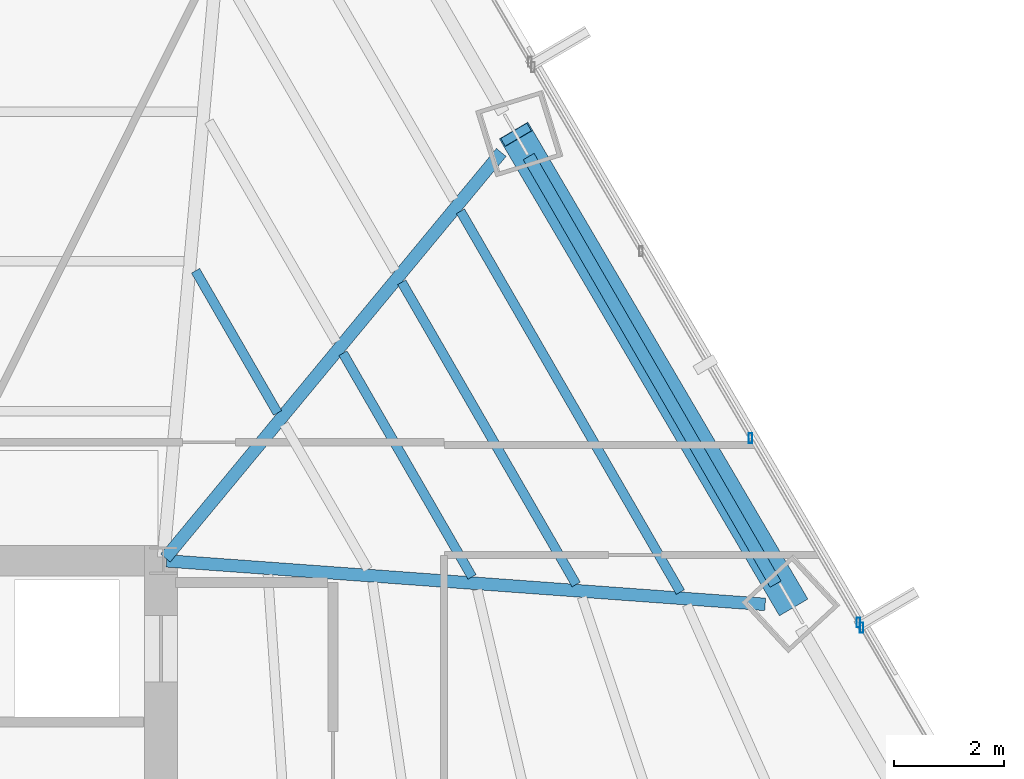
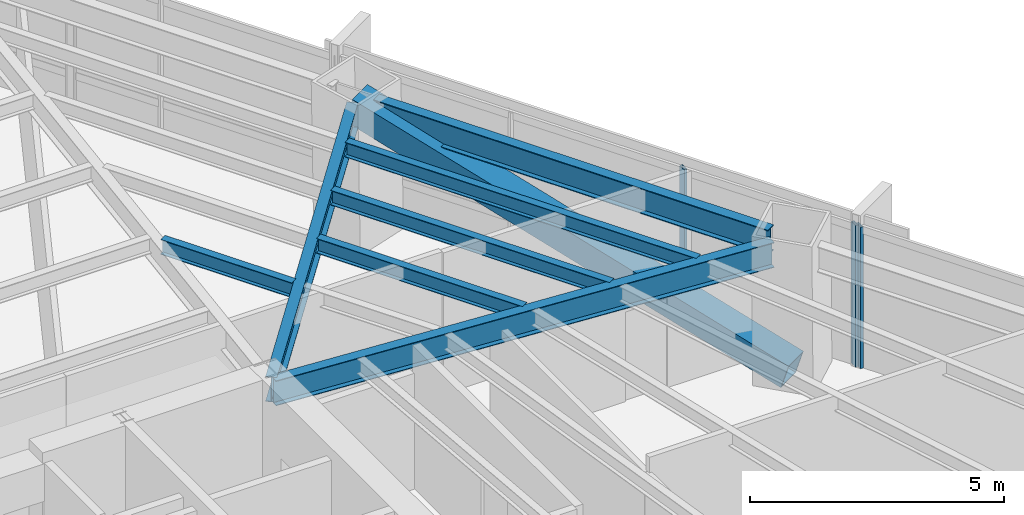
# One storey, part 19 of 33: 7 beams, 4 members, 2 elements without a shape of their own.
"""IFC4 building model written with IfcOpenShell, lengths in metres."""

import ifcopenshell
import ifcopenshell.guid

model = None  # the IFC model being written
_history = None  # IfcOwnerHistory: only IFC2X3 demands one
_inside = {}  # id of a spatial element -> (the spatial element, [elements in it])
_under = {}  # id of a project, library or spatial element -> (it, [spatial elements below it])
_declared = {}  # id of a project -> (the project, [libraries it declares])
_typed = {}  # id of a type object -> (the type object, [elements of that type])
_made_of = {}  # id of a material, layer set ... -> (it, [elements and type objects made of it])


def new_model(schema):
    """Start an empty IFC model of exactly this schema.

    Asked for "IFC4X3", IfcOpenShell would pick the latest addendum, in which some entities
    have other attributes; the version numbers below select the first issue.
    IFC2X3 requires an IfcOwnerHistory on every rooted entity: one is made here for all.
    """
    global model, _history
    if schema == "IFC4X3":
        model = ifcopenshell.file(schema_version=(4, 3, 0, 0))
    else:
        model = ifcopenshell.file(schema=schema)
    _inside.clear()
    _under.clear()
    _declared.clear()
    _typed.clear()
    _made_of.clear()
    _history = None
    if model.schema == "IFC2X3":
        org = make("IfcOrganization", Name="unknown")
        user = make(
            "IfcPersonAndOrganization",
            ThePerson=make("IfcPerson", FamilyName="unknown"),
            TheOrganization=org,
        )
        app = make(
            "IfcApplication",
            ApplicationDeveloper=org,
            Version="unknown",
            ApplicationFullName="unknown",
            ApplicationIdentifier="unknown",
        )
        _history = make(
            "IfcOwnerHistory",
            OwningUser=user,
            OwningApplication=app,
            ChangeAction="ADDED",
            CreationDate=0,
        )
    return model


def make(cls, **values):
    """One entity of the class cls with the attributes given. An attribute that is None is left unset."""
    return model.create_entity(
        cls, **{name: value for name, value in values.items() if value is not None}
    )


def rooted(cls, **values):
    """An entity with a GlobalId (a new one), such as an element, a storey or a relation."""
    return make(cls, GlobalId=ifcopenshell.guid.new(), OwnerHistory=_history, **values)


def si_unit(unit_type, name, prefix=None):
    """IfcSIUnit, for example si_unit("LENGTHUNIT", "METRE", prefix="MILLI")."""
    return make("IfcSIUnit", UnitType=unit_type, Prefix=prefix, Name=name)


def assignment(units):
    """IfcUnitAssignment: the units of a project."""
    return None if units is None else make("IfcUnitAssignment", Units=units)


def point(xyz):
    """IfcCartesianPoint."""
    return None if xyz is None else make("IfcCartesianPoint", Coordinates=xyz)


def direction(xyz):
    """IfcDirection."""
    return None if xyz is None else make("IfcDirection", DirectionRatios=xyz)


def frame(location, z_axis=None, x_axis=None):
    """IfcAxis2Placement3D, a coordinate frame: its origin and axes. An axis left out is left unset."""
    return make(
        "IfcAxis2Placement3D",
        Location=point(location),
        Axis=direction(z_axis),
        RefDirection=direction(x_axis),
    )


def frame_2d(location, x_axis=None):
    """IfcAxis2Placement2D, a coordinate frame in the plane: its origin and x axis."""
    return make(
        "IfcAxis2Placement2D", Location=point(location), RefDirection=direction(x_axis)
    )


def origin():
    """The frame at (0, 0, 0) with its axes left unset."""
    return frame((0.0, 0.0, 0.0))


def origin_2d():
    """The frame at (0, 0) in the plane with its x axis left unset."""
    return frame_2d((0.0, 0.0))


def place(relative_to, where):
    """IfcLocalPlacement: puts the frame where relative to a parent placement (None: the world)."""
    return make(
        "IfcLocalPlacement", PlacementRelTo=relative_to, RelativePlacement=where
    )


def context(
    kind, dimensions, precision=None, world=None, true_north=None, identifier=None
):
    """IfcGeometricRepresentationContext, for example the 3D "Model" context."""
    return make(
        "IfcGeometricRepresentationContext",
        ContextIdentifier=identifier,
        ContextType=kind,
        CoordinateSpaceDimension=dimensions,
        Precision=precision,
        WorldCoordinateSystem=world,
        TrueNorth=true_north,
    )


def subcontext(parent, identifier, kind, view, scale=None):
    """IfcGeometricRepresentationSubContext, for example "Body" below "Model"."""
    return make(
        "IfcGeometricRepresentationSubContext",
        ContextIdentifier=identifier,
        ContextType=kind,
        ParentContext=parent,
        TargetScale=scale,
        TargetView=view,
    )


def project(units=None, contexts=None):
    """IfcProject with its units and contexts."""
    return rooted(
        "IfcProject",
        Name="project",
        RepresentationContexts=contexts,
        UnitsInContext=assignment(units),
    )


def spatial(cls, under=None, at=None, **own):
    """A site, building, storey or space (cls), placed at a placement, below another one or the project."""
    s = rooted(cls, ObjectPlacement=at, **own)
    if under is not None:
        _under.setdefault(under.id(), (under, []))[1].append(s)
    return s


def profile(cls, at=None, kind="AREA", **sizes):
    """A parametric profile (cls). Its sizes go by their IFC names, for example OverallWidth=200.0."""
    return make(cls, ProfileType=kind, Position=at, **sizes)


def hollow_rectangle(**sizes):
    """IfcRectangleHollowProfileDef."""
    return profile("IfcRectangleHollowProfileDef", **sizes)


def i_section(**sizes):
    """IfcIShapeProfileDef."""
    return profile("IfcIShapeProfileDef", **sizes)


def extrude(swept, where, along, depth):
    """IfcExtrudedAreaSolid: the profile swept, set in the frame where, extruded along a direction by depth."""
    return make(
        "IfcExtrudedAreaSolid",
        SweptArea=swept,
        Position=where,
        ExtrudedDirection=direction(along),
        Depth=depth,
    )


def shape(context_of_items, identifier, shape_type, items):
    """IfcShapeRepresentation: the items that make up one representation, for example the "Body"."""
    return make(
        "IfcShapeRepresentation",
        ContextOfItems=context_of_items,
        RepresentationIdentifier=identifier,
        RepresentationType=shape_type,
        Items=items,
    )


def source(mapping_origin, context_of_items, identifier, shape_type, items):
    """IfcRepresentationMap: a shape defined once, which mapped items show again and again."""
    return make(
        "IfcRepresentationMap",
        MappingOrigin=mapping_origin,
        MappedRepresentation=shape(context_of_items, identifier, shape_type, items),
    )


def transform(
    local_origin,
    x_axis=None,
    y_axis=None,
    z_axis=None,
    scale=None,
    scale2=None,
    scale3=None,
    uniform=True,
):
    """IfcCartesianTransformationOperator3D, or its non-uniform kind. x_axis, y_axis, z_axis: its Axis1, 2, 3."""
    if uniform:
        return make(
            "IfcCartesianTransformationOperator3D",
            Axis1=direction(x_axis),
            Axis2=direction(y_axis),
            LocalOrigin=point(local_origin),
            Scale=scale,
            Axis3=direction(z_axis),
        )
    return make(
        "IfcCartesianTransformationOperator3DnonUniform",
        Axis1=direction(x_axis),
        Axis2=direction(y_axis),
        LocalOrigin=point(local_origin),
        Scale=scale,
        Axis3=direction(z_axis),
        Scale2=scale2,
        Scale3=scale3,
    )


def mapped(mapping_source, mapping_target):
    """IfcMappedItem: shows the shape of a source again, moved by a transform."""
    return make(
        "IfcMappedItem", MappingSource=mapping_source, MappingTarget=mapping_target
    )


def material(Name=None, Category=None):
    """IfcMaterial."""
    return make("IfcMaterial", Name=Name, Category=Category)


def material_profile(
    of_material, cross_section, Name=None, Category=None, Priority=None
):
    """IfcMaterialProfile: a cross section and its material."""
    return make(
        "IfcMaterialProfile",
        Name=Name,
        Material=of_material,
        Profile=cross_section,
        Priority=Priority,
        Category=Category,
    )


def profile_set(profiles, Name=None, composite=None):
    """IfcMaterialProfileSet."""
    return make(
        "IfcMaterialProfileSet",
        Name=Name,
        MaterialProfiles=profiles,
        CompositeProfile=composite,
    )


def made_of(thing, what):
    """Note that an element or type object is made of a material, layer set ...; save() writes the relation."""
    if what is not None:
        _made_of.setdefault(what.id(), (what, []))[1].append(thing)
    return thing


def type_object(cls, material=None, **own):
    """A type object (cls), such as IfcWallType, which elements share."""
    return made_of(rooted(cls, **own), material)


def type_shapes(of_type, sources):
    """Give a type object the sources (RepresentationMaps) that its elements show as mapped items."""
    of_type.RepresentationMaps = sources


def element(
    cls,
    number,
    at=None,
    inside=None,
    cuts=None,
    type_object=None,
    material=None,
    context=None,
    identifier="Body",
    shape_type=None,
    held_by="IfcProductDefinitionShape",
    body=None,
    shapes=None,
    **own,
):
    """One element of the class cls, such as IfcWall. Its Tag is "e" and its number.

    at: its placement. inside: the storey or other place that contains it. cuts: it is an
    opening in that element (IfcRelVoidsElement). A single representation is given by context,
    identifier, shape_type and body (its items); several are given by shapes. held_by: the class
    of the entity that holds the representations. save() writes the other relations.
    """
    e = rooted(cls, Tag="e%d" % number, ObjectPlacement=at, **own)
    if body is not None:
        shapes = [shape(context, identifier, shape_type, body)]
    if shapes is not None:
        e.Representation = make(held_by, Representations=shapes)
    if inside is not None:
        _inside.setdefault(inside.id(), (inside, []))[1].append(e)
    if cuts is not None:
        rooted(
            "IfcRelVoidsElement", RelatingBuildingElement=cuts, RelatedOpeningElement=e
        )
    if type_object is not None:
        _typed.setdefault(type_object.id(), (type_object, []))[1].append(e)
    return made_of(e, material)


def aggregate(whole, parts):
    """IfcRelAggregates: a whole, such as a stair, and the parts it consists of."""
    return rooted("IfcRelAggregates", RelatingObject=whole, RelatedObjects=parts)


def save(model, path):
    """Write the relations noted so far, then the file.

    IfcRelAggregates (storeys below a building ...), IfcRelContainedInSpatialStructure (elements
    in a storey), IfcRelDefinesByType, IfcRelAssociatesMaterial and IfcRelDeclares: one each for
    every whole, place, type object, material and project.
    """
    for whole, parts in _under.values():
        aggregate(whole, parts)
    for where, things in _inside.values():
        rooted(
            "IfcRelContainedInSpatialStructure",
            RelatedElements=things,
            RelatingStructure=where,
        )
    for kind, things in _typed.values():
        rooted("IfcRelDefinesByType", RelatedObjects=things, RelatingType=kind)
    for what, things in _made_of.values():
        rooted("IfcRelAssociatesMaterial", RelatedObjects=things, RelatingMaterial=what)
    for by, libraries in _declared.values():
        rooted("IfcRelDeclares", RelatingContext=by, RelatedDefinitions=libraries)
    model.write(path)


model = new_model("IFC4")

# Units and contexts
model_context = context("Model", 3, precision=1e-05, world=origin(), true_north=direction((0.0, 1.0)))
body_context = subcontext(model_context, "Body", "Model", "MODEL_VIEW")
ifc_project = project(units=[si_unit("LENGTHUNIT", "METRE"), si_unit("AREAUNIT", "SQUARE_METRE"), si_unit("VOLUMEUNIT", "CUBIC_METRE"), si_unit("PLANEANGLEUNIT", "RADIAN"), si_unit("MASSUNIT", "GRAM", prefix="KILO")], contexts=[model_context])

# Site, building, storey
site_placement = place(None, origin())
site = spatial("IfcSite", under=ifc_project, at=site_placement, CompositionType="ELEMENT")
building_placement = place(site_placement, origin())
building = spatial("IfcBuilding", under=site, at=building_placement, Name="Caelisora Broadcast Tower", CompositionType="ELEMENT")
storey_placement = place(building_placement, frame((0.0, 0.0, 38.550048828125)))
storey = spatial("IfcBuildingStorey", under=building, at=storey_placement, Name="L09", CompositionType="ELEMENT", Elevation=38.550048828125)

# Beams
ifc_material_1 = material(Name="Steel Grade 350 (AS/NZS 3679.1)", Category="steel")
ifc_material_profile_1 = material_profile(ifc_material_1, i_section(OverallWidth=0.22900390625, OverallDepth=0.611572265625, WebThickness=0.011962890625, FlangeThickness=0.01953125, at=origin_2d()), Name="Steel Grade 350 (AS/NZS 3679.1)")
ifc_profile_set_1 = profile_set([ifc_material_profile_1], Name="Steel Grade 350 (AS/NZS 3679.1)")
beam_type_1 = type_object("IfcBeamType", Name="PG03", PredefinedType="BEAM", material=ifc_profile_set_1)
shared_shape_1 = source(origin(), body_context, "Body", "SweptSolid", [
    extrude(i_section(OverallWidth=0.22900390625, OverallDepth=0.611572265625, WebThickness=0.011962890625, FlangeThickness=0.01953125, at=origin_2d()), origin(), (0.0, 0.0, 1.0), 8.966064453125),
])
type_shapes(beam_type_1, [shared_shape_1])
beam_1_placement = place(storey_placement, frame((56.61865234375, 29.572998046875, 3.09423828125), z_axis=(-0.499987229776, 0.866032776551, 0.0), x_axis=(-0.866032776551, -0.499987229776, 0.0)))
element("IfcBeam", 1, at=beam_1_placement, inside=storey, type_object=beam_type_1, Name="L09 beam PG03", PredefinedType="BEAM", context=body_context, shape_type="MappedRepresentation", body=[
    mapped(shared_shape_1, transform((0.0, 0.0, 0.0), scale=1.0)),
])
ifc_material_profile_2 = material_profile(ifc_material_1, i_section(OverallWidth=0.22802734375, OverallDepth=0.602294921875, WebThickness=0.010498046875, FlangeThickness=0.014892578125, at=origin_2d()), Name="Steel Grade 350 (AS/NZS 3679.1)")
ifc_profile_set_2 = profile_set([ifc_material_profile_2], Name="Steel Grade 350 (AS/NZS 3679.1)")
beam_type_2 = type_object("IfcBeamType", Name="PG04", PredefinedType="BEAM", material=ifc_profile_set_2)
shared_shape_2 = source(origin(), body_context, "Body", "SweptSolid", [
    extrude(i_section(OverallWidth=0.22802734375, OverallDepth=0.602294921875, WebThickness=0.010498046875, FlangeThickness=0.014892578125, at=origin_2d()), origin(), (0.0, 0.0, 1.0), 9.563720703125),
])
beam_2_placement = place(storey_placement, frame((45.538330078125, 30.046142578125, 3.098876953125), z_axis=(0.637753161656, 0.770240809616, 0.0), x_axis=(-0.770240809616, 0.637753161656, 0.0)))
element("IfcBeam", 2, at=beam_2_placement, inside=storey, type_object=beam_type_2, Name="L09 beam PG04", PredefinedType="BEAM", context=body_context, shape_type="MappedRepresentation", body=[
    mapped(shared_shape_2, transform((0.0, 0.0, 0.0), scale=1.0)),
])
shared_shape_3 = source(origin(), body_context, "Body", "SweptSolid", [
    extrude(i_section(OverallWidth=0.22802734375, OverallDepth=0.602294921875, WebThickness=0.010498046875, FlangeThickness=0.014892578125, at=origin_2d()), origin(), (0.0, 0.0, 1.0), 10.898681640625),
])
type_shapes(beam_type_2, [shared_shape_2, shared_shape_3])
beam_3_placement = place(storey_placement, frame((45.559814453125, 29.99560546875, 3.098876953125), z_axis=(0.997365875889, -0.072534885478, 0.0), x_axis=(0.072534885478, 0.997365875889, 0.0)))
element("IfcBeam", 3, at=beam_3_placement, inside=storey, type_object=beam_type_2, Name="L09 beam PG04", PredefinedType="BEAM", context=body_context, shape_type="MappedRepresentation", body=[
    mapped(shared_shape_3, transform((0.0, 0.0, 0.0), scale=1.0)),
])
ifc_material_profile_3 = material_profile(ifc_material_1, i_section(OverallWidth=0.172119140625, OverallDepth=0.358642578125, WebThickness=0.008056640625, FlangeThickness=0.012939453125, at=origin_2d()), Name="Steel Grade 350 (AS/NZS 3679.1)")
ifc_profile_set_3 = profile_set([ifc_material_profile_3], Name="Steel Grade 350 (AS/NZS 3679.1)")
beam_type_3 = type_object("IfcBeamType", Name="SB02", PredefinedType="JOIST", material=ifc_profile_set_3)
shared_shape_4 = source(origin(), body_context, "Body", "SweptSolid", [
    extrude(i_section(OverallWidth=0.172119140625, OverallDepth=0.358642578125, WebThickness=0.008056640625, FlangeThickness=0.012939453125, at=origin_2d()), origin(), (0.0, 0.0, 1.0), 2.981689453125),
])
beam_4_placement = place(storey_placement, frame((47.575927734375, 32.681396484375, 3.220703125), z_axis=(-0.499961077868, 0.866047874322, 0.0), x_axis=(-0.866047874322, -0.499961077868, 0.0)))
element("IfcBeam", 4, at=beam_4_placement, inside=storey, type_object=beam_type_3, Name="L09 beam SB02", PredefinedType="JOIST", context=body_context, shape_type="MappedRepresentation", body=[
    mapped(shared_shape_4, transform((0.0, 0.0, 0.0), scale=1.0)),
])
shared_shape_5 = source(origin(), body_context, "Body", "SweptSolid", [
    extrude(i_section(OverallWidth=0.172119140625, OverallDepth=0.358642578125, WebThickness=0.008056640625, FlangeThickness=0.012939453125, at=origin_2d()), origin(), (0.0, 0.0, 1.0), 4.689453125),
])
beam_5_placement = place(storey_placement, frame((51.10693359375, 29.7041015625, 3.220703125), z_axis=(-0.499991342483, 0.866030402146, 0.0), x_axis=(-0.866030402146, -0.499991342483, 0.0)))
element("IfcBeam", 5, at=beam_5_placement, inside=storey, type_object=beam_type_3, Name="L09 beam SB02", PredefinedType="JOIST", context=body_context, shape_type="MappedRepresentation", body=[
    mapped(shared_shape_5, transform((0.0, 0.0, 0.0), scale=1.0)),
])
shared_shape_6 = source(origin(), body_context, "Body", "SweptSolid", [
    extrude(i_section(OverallWidth=0.172119140625, OverallDepth=0.358642578125, WebThickness=0.008056640625, FlangeThickness=0.012939453125, at=origin_2d()), origin(), (0.0, 0.0, 1.0), 6.337158203125),
])
beam_6_placement = place(storey_placement, frame((52.998291015625, 29.56640625, 3.220703125), z_axis=(-0.499975901009, 0.866039316896, 0.0), x_axis=(-0.866039316896, -0.499975901009, 0.0)))
element("IfcBeam", 6, at=beam_6_placement, inside=storey, type_object=beam_type_3, Name="L09 beam SB02", PredefinedType="JOIST", context=body_context, shape_type="MappedRepresentation", body=[
    mapped(shared_shape_6, transform((0.0, 0.0, 0.0), scale=1.0)),
])
shared_shape_7 = source(origin(), body_context, "Body", "SweptSolid", [
    extrude(i_section(OverallWidth=0.172119140625, OverallDepth=0.358642578125, WebThickness=0.008056640625, FlangeThickness=0.012939453125, at=origin_2d()), origin(), (0.0, 0.0, 1.0), 7.98486328125),
])
type_shapes(beam_type_3, [shared_shape_4, shared_shape_5, shared_shape_6, shared_shape_7])
beam_7_placement = place(storey_placement, frame((54.889892578125, 29.428955078125, 3.220703125), z_axis=(-0.500003003489, 0.866023669713, 0.0), x_axis=(-0.866023669713, -0.500003003489, 0.0)))
element("IfcBeam", 7, at=beam_7_placement, inside=storey, type_object=beam_type_3, Name="L09 beam SB02", PredefinedType="JOIST", context=body_context, shape_type="MappedRepresentation", body=[
    mapped(shared_shape_7, transform((0.0, 0.0, 0.0), scale=1.0)),
])

# Member
ifc_material_2 = material(Name="Steel Grade 450 L15 (AS/NZS 3678)", Category="steel")
ifc_material_profile_4 = material_profile(ifc_material_2, hollow_rectangle(XDim=0.60009765625, YDim=0.60009765625, WallThickness=0.02490234375, at=origin_2d()), Name="Steel Grade 450 L15 (AS/NZS 3678)")
ifc_profile_set_4 = profile_set([ifc_material_profile_4], Name="Steel Grade 450 L15 (AS/NZS 3678)")
member_type_1 = type_object("IfcMemberType", Name="BR01", PredefinedType="BRACE", material=ifc_profile_set_4)
shared_shape_8 = source(origin(), body_context, "Body", "SweptSolid", [
    extrude(hollow_rectangle(XDim=0.60009765625, YDim=0.60009765625, WallThickness=0.02490234375, at=origin_2d()), origin(), (0.0, 0.0, 1.0), 10.315673828125),
])
type_shapes(member_type_1, [shared_shape_8])
member_1_placement = place(storey_placement, frame((56.9033203125, 29.22509765625, 0.099853515625), z_axis=(-0.484464113024, 0.825056348028, 0.290820469997), x_axis=(-0.862328207425, -0.506349743438, 0.0)))
element("IfcMember", 8, at=member_1_placement, inside=storey, type_object=member_type_1, Name="L09 perimeter brace BR01", PredefinedType="BRACE", context=body_context, shape_type="MappedRepresentation", body=[
    mapped(shared_shape_8, transform((0.0, 0.0, 0.0), scale=1.0)),
])

# Curtain wall, members
ifc_material_3 = material(Name="Unitised Aluminium Insulated Shadow-Box Spandrel Curtain Wall", Category="aluminium")
curtain_wall_type_1 = type_object("IfcCurtainWallType", Name="CW-SP1", PredefinedType="NOTDEFINED", material=ifc_material_3)
curtain_wall_1_placement = place(storey_placement, origin())
curtain_wall_1 = element("IfcCurtainWall", 9, at=curtain_wall_1_placement, inside=storey, type_object=curtain_wall_type_1, Name="L09 curtain wall CW-SP1", PredefinedType="NOTDEFINED")
ifc_material_4 = material(Name="Aluminium 6063-T6 Anodised Terracotta Bronze", Category="aluminium")
ifc_material_profile_5 = material_profile(ifc_material_4, hollow_rectangle(XDim=0.06494140625, YDim=0.179931640625, WallThickness=0.00341796875, at=origin_2d()), Name="Aluminium 6063-T6 Anodised Terracotta Bronze")
ifc_profile_set_5 = profile_set([ifc_material_profile_5], Name="Aluminium 6063-T6 Anodised Terracotta Bronze")
member_type_2 = type_object("IfcMemberType", Name="CWM-02", PredefinedType="MULLION", material=ifc_profile_set_5)
shared_shape_9 = source(origin(), body_context, "Body", "SweptSolid", [
    extrude(hollow_rectangle(XDim=0.06494140625, YDim=0.179931640625, WallThickness=0.00341796875, at=origin_2d()), origin(), (0.0, 0.0, 1.0), 3.39990234375),
])
type_shapes(member_type_2, [shared_shape_9])
member_2_placement = place(storey_placement, frame((56.163818359375, 32.223876953125, 0.0), z_axis=(0.0, 0.0, 1.0), x_axis=(1.0, 0.0, 0.0)))
member_2 = element("IfcMember", 10, at=member_2_placement, type_object=member_type_2, Name="L09-CW-B02 mullion #2", PredefinedType="MULLION", context=body_context, shape_type="MappedRepresentation", body=[
    mapped(shared_shape_9, transform((0.0, 0.0, 0.0), scale=1.0)),
])
member_3_placement = place(storey_placement, frame((58.12646484375, 28.87548828125, 0.0), z_axis=(0.0, 0.0, 1.0), x_axis=(1.0, 0.0, 0.0)))
member_3 = element("IfcMember", 11, at=member_3_placement, type_object=member_type_2, Name="L09-CW-B02 mullion #3", PredefinedType="MULLION", context=body_context, shape_type="MappedRepresentation", body=[
    mapped(shared_shape_9, transform((0.0, 0.0, 0.0), scale=1.0)),
])
aggregate(curtain_wall_1, [member_2, member_3])

# Curtain wall, member
ifc_material_5 = material(Name="Unitised Aluminium and Low-E Glass Curtain Wall", Category="glass")
curtain_wall_type_2 = type_object("IfcCurtainWallType", Name="CW-Z1", PredefinedType="NOTDEFINED", material=ifc_material_5)
curtain_wall_2_placement = place(storey_placement, origin())
curtain_wall_2 = element("IfcCurtainWall", 12, at=curtain_wall_2_placement, inside=storey, type_object=curtain_wall_type_2, Name="L09 curtain wall CW-Z1", PredefinedType="NOTDEFINED")
member_4_placement = place(storey_placement, frame((58.18212890625, 28.78076171875, 0.0), z_axis=(0.0, 0.0, 1.0), x_axis=(1.0, 0.0, 0.0)))
member_4 = element("IfcMember", 13, at=member_4_placement, type_object=member_type_2, Name="L09-CW-B03 mullion #0", PredefinedType="MULLION", context=body_context, shape_type="MappedRepresentation", body=[
    mapped(shared_shape_9, transform((0.0, 0.0, 0.0), scale=1.0)),
])
aggregate(curtain_wall_2, [member_4])

save(model, "model.ifc")
